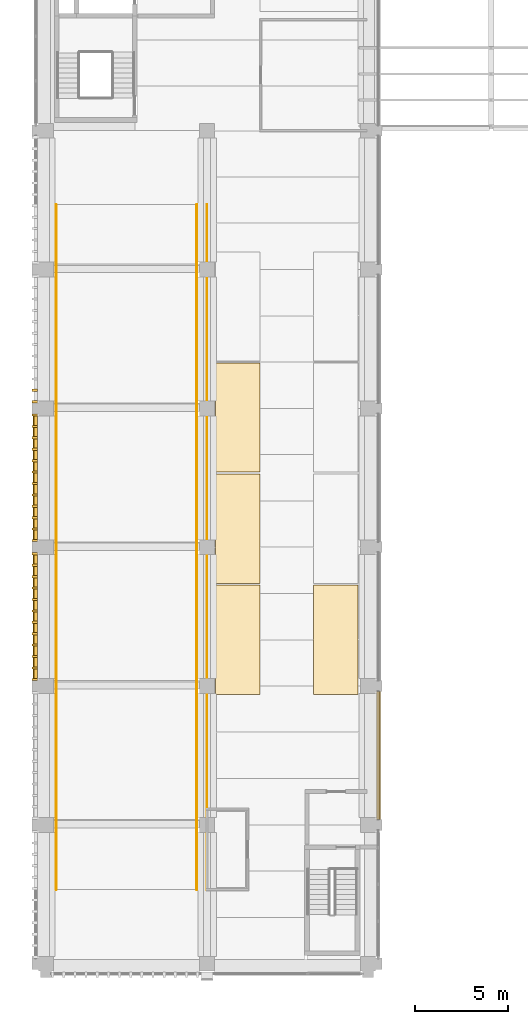
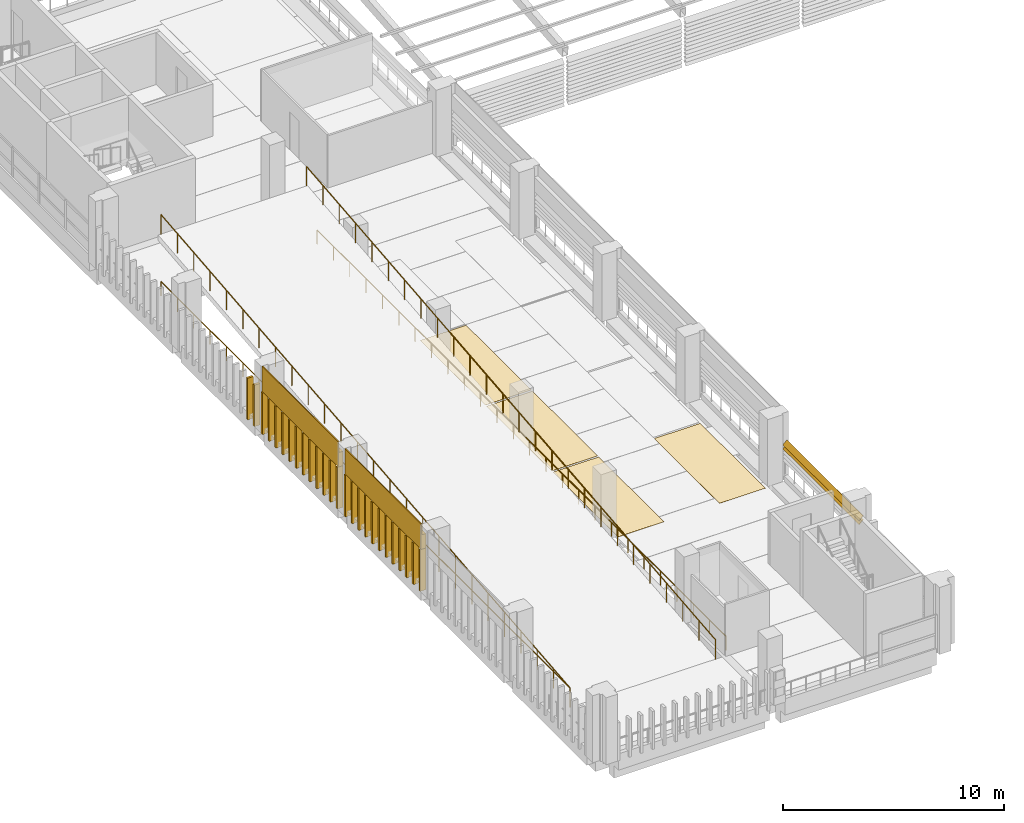
# One storey, part 42 of 52: 32 coverings, 4 railings, 2 shading devices.
"""IFC4 building model written with IfcOpenShell, lengths in metres."""

from ifc_helpers import new_model, si_unit, direction, frame, origin, origin_2d, place, context, subcontext, project, spatial, polyline, circle, outline, extrude, material, layer, layer_set, type_object, element, save


model = new_model("IFC4")

# Units and contexts
model_context = context("Model", 3, precision=1e-05, world=origin(), true_north=direction((0.0, 1.0)))
body_context = subcontext(model_context, "Body", "Model", "MODEL_VIEW")
ifc_project = project(units=[si_unit("LENGTHUNIT", "METRE"), si_unit("AREAUNIT", "SQUARE_METRE"), si_unit("VOLUMEUNIT", "CUBIC_METRE"), si_unit("PLANEANGLEUNIT", "RADIAN"), si_unit("MASSUNIT", "GRAM", prefix="KILO")], contexts=[model_context])

# Site, building, storey
site_placement = place(None, origin())
site = spatial("IfcSite", under=ifc_project, at=site_placement, CompositionType="ELEMENT")
building_placement = place(site_placement, origin())
building = spatial("IfcBuilding", under=site, at=building_placement, Name="Cour d'Honneur Mobility Palace", CompositionType="ELEMENT")
storey_placement = place(building_placement, frame((0.0, 0.0, 23.0)))
storey = spatial("IfcBuildingStorey", under=building, at=storey_placement, Name="L06", CompositionType="ELEMENT", Elevation=23.0)

# Coverings
ifc_material_1 = material(Name="Parking marking paint")
ifc_layer_1 = layer(ifc_material_1, 0.0048828125)
ifc_layer_set_1 = layer_set([ifc_layer_1], Name="Parking marking paint")
covering_type_1 = type_object("IfcCoveringType", Name="Parking bay marking", PredefinedType="FLOORING", material=ifc_layer_set_1)
covering_1_placement = place(storey_placement, origin())
element("IfcCovering", 1, at=covering_1_placement, inside=storey, type_object=covering_type_1, Name="Parking bay marking L06 9", PredefinedType="FLOORING", context=body_context, shape_type="SweptSolid", body=[
    extrude(outline(polyline([(11.550048828125, 14.550048828125), (9.14990234375, 14.550048828125), (9.14990234375, 20.449951171875), (11.550048828125, 20.449951171875), (11.550048828125, 14.550048828125)])), origin(), (0.0, 0.0, 1.0), 0.0048828125),
])
covering_2_placement = place(storey_placement, origin())
element("IfcCovering", 2, at=covering_2_placement, inside=storey, type_object=covering_type_1, Name="Parking bay marking L06 10", PredefinedType="FLOORING", context=body_context, shape_type="SweptSolid", body=[
    extrude(outline(polyline([(11.550048828125, 20.550048828125), (9.14990234375, 20.550048828125), (9.14990234375, 26.449951171875), (11.550048828125, 26.449951171875), (11.550048828125, 20.550048828125)])), origin(), (0.0, 0.0, 1.0), 0.0048828125),
])
covering_3_placement = place(storey_placement, origin())
element("IfcCovering", 3, at=covering_3_placement, inside=storey, type_object=covering_type_1, Name="Parking bay marking L06 11", PredefinedType="FLOORING", context=body_context, shape_type="SweptSolid", body=[
    extrude(outline(polyline([(11.550048828125, 26.550048828125), (9.14990234375, 26.550048828125), (9.14990234375, 32.449951171875), (11.550048828125, 32.449951171875), (11.550048828125, 26.550048828125)])), origin(), (0.0, 0.0, 1.0), 0.0048828125),
])
covering_4_placement = place(storey_placement, origin())
element("IfcCovering", 4, at=covering_4_placement, inside=storey, type_object=covering_type_1, Name="Parking bay marking L06 13", PredefinedType="FLOORING", context=body_context, shape_type="SweptSolid", body=[
    extrude(outline(polyline([(16.85009765625, 14.550048828125), (14.449951171875, 14.550048828125), (14.449951171875, 20.449951171875), (16.85009765625, 20.449951171875), (16.85009765625, 14.550048828125)])), origin(), (0.0, 0.0, 1.0), 0.0048828125),
])

# Railings
ifc_material_2 = material(Name="Painted steel", Category="steel")
railing_type_1 = type_object("IfcRailingType", Name="Ramp guard 1100", PredefinedType="GUARDRAIL", material=ifc_material_2)
railing_1_placement = place(storey_placement, frame((0.550048828125, 4.0, 0.0)))
element("IfcRailing", 5, at=railing_1_placement, inside=storey, type_object=railing_type_1, Name="Ramp guard Ramp West 7", PredefinedType="GUARDRAIL", context=body_context, shape_type="SweptSolid", body=[
    extrude(circle(Radius=0.02490234375, at=origin_2d()), frame((0.0, 0.0, 1.0751953125), z_axis=(0.0, 0.995037320222, 0.099502418892), x_axis=(-1.0, 0.0, 0.0)), (0.0, 0.0, 1.0), 37.1845703125),
    extrude(circle(Radius=0.02099609375, at=origin_2d()), origin(), (0.0, 0.0, 1.0), 1.050048828125),
    extrude(circle(Radius=0.02099609375, at=origin_2d()), frame((0.0, 1.47998046875, 0.14794921875)), (0.0, 0.0, 1.0), 1.050048828125),
    extrude(circle(Radius=0.02099609375, at=origin_2d()), frame((0.0, 2.9599609375, 0.2958984375)), (0.0, 0.0, 1.0), 1.050048828125),
    extrude(circle(Radius=0.02099609375, at=origin_2d()), frame((0.0, 4.43994140625, 0.444091796875)), (0.0, 0.0, 1.0), 1.050048828125),
    extrude(circle(Radius=0.02099609375, at=origin_2d()), frame((0.0, 5.919921875, 0.592041015625)), (0.0, 0.0, 1.0), 1.050048828125),
    extrude(circle(Radius=0.02099609375, at=origin_2d()), frame((0.0, 7.39990234375, 0.739990234375)), (0.0, 0.0, 1.0), 1.050048828125),
    extrude(circle(Radius=0.02099609375, at=origin_2d()), frame((0.0, 8.8798828125, 0.887939453125)), (0.0, 0.0, 1.0), 1.050048828125),
    extrude(circle(Radius=0.02099609375, at=origin_2d()), frame((0.0, 10.360107421875, 1.035888671875)), (0.0, 0.0, 1.0), 1.050048828125),
    extrude(circle(Radius=0.02099609375, at=origin_2d()), frame((0.0, 11.840087890625, 1.18408203125)), (0.0, 0.0, 1.0), 1.050048828125),
    extrude(circle(Radius=0.02099609375, at=origin_2d()), frame((0.0, 13.320068359375, 1.33203125)), (0.0, 0.0, 1.0), 1.050048828125),
    extrude(circle(Radius=0.02099609375, at=origin_2d()), frame((0.0, 14.800048828125, 1.47998046875)), (0.0, 0.0, 1.0), 1.050048828125),
    extrude(circle(Radius=0.02099609375, at=origin_2d()), frame((0.0, 16.280029296875, 1.6279296875)), (0.0, 0.0, 1.0), 1.050048828125),
    extrude(circle(Radius=0.02099609375, at=origin_2d()), frame((0.0, 17.760009765625, 1.77587890625)), (0.0, 0.0, 1.0), 1.050048828125),
    extrude(circle(Radius=0.02099609375, at=origin_2d()), frame((0.0, 19.239990234375, 1.924072265625)), (0.0, 0.0, 1.0), 1.050048828125),
    extrude(circle(Radius=0.02099609375, at=origin_2d()), frame((0.0, 20.719970703125, 2.072021484375)), (0.0, 0.0, 1.0), 1.050048828125),
    extrude(circle(Radius=0.02099609375, at=origin_2d()), frame((0.0, 22.199951171875, 2.219970703125)), (0.0, 0.0, 1.0), 1.050048828125),
    extrude(circle(Radius=0.02099609375, at=origin_2d()), frame((0.0, 23.679931640625, 2.367919921875)), (0.0, 0.0, 1.0), 1.050048828125),
    extrude(circle(Radius=0.02099609375, at=origin_2d()), frame((0.0, 25.159912109375, 2.515869140625)), (0.0, 0.0, 1.0), 1.050048828125),
    extrude(circle(Radius=0.02099609375, at=origin_2d()), frame((0.0, 26.639892578125, 2.6640625)), (0.0, 0.0, 1.0), 1.050048828125),
    extrude(circle(Radius=0.02099609375, at=origin_2d()), frame((0.0, 28.1201171875, 2.81201171875)), (0.0, 0.0, 1.0), 1.050048828125),
    extrude(circle(Radius=0.02099609375, at=origin_2d()), frame((0.0, 29.60009765625, 2.9599609375)), (0.0, 0.0, 1.0), 1.050048828125),
    extrude(circle(Radius=0.02099609375, at=origin_2d()), frame((0.0, 31.080078125, 3.10791015625)), (0.0, 0.0, 1.0), 1.050048828125),
    extrude(circle(Radius=0.02099609375, at=origin_2d()), frame((0.0, 32.56005859375, 3.255859375)), (0.0, 0.0, 1.0), 1.050048828125),
    extrude(circle(Radius=0.02099609375, at=origin_2d()), frame((0.0, 34.0400390625, 3.404052734375)), (0.0, 0.0, 1.0), 1.050048828125),
    extrude(circle(Radius=0.02099609375, at=origin_2d()), frame((0.0, 35.52001953125, 3.552001953125)), (0.0, 0.0, 1.0), 1.050048828125),
    extrude(circle(Radius=0.02099609375, at=origin_2d()), frame((0.0, 37.0, 3.699951171875)), (0.0, 0.0, 1.0), 1.050048828125),
])
railing_2_placement = place(storey_placement, frame((8.14990234375, 4.0, 0.0)))
element("IfcRailing", 6, at=railing_2_placement, inside=storey, type_object=railing_type_1, Name="Ramp guard Ramp West 7", PredefinedType="GUARDRAIL", context=body_context, shape_type="SweptSolid", body=[
    extrude(circle(Radius=0.02490234375, at=origin_2d()), frame((0.0, 0.0, 1.0751953125), z_axis=(0.0, 0.995037320222, 0.099502418892), x_axis=(-1.0, 0.0, 0.0)), (0.0, 0.0, 1.0), 37.1845703125),
    extrude(circle(Radius=0.02099609375, at=origin_2d()), origin(), (0.0, 0.0, 1.0), 1.050048828125),
    extrude(circle(Radius=0.02099609375, at=origin_2d()), frame((0.0, 1.47998046875, 0.14794921875)), (0.0, 0.0, 1.0), 1.050048828125),
    extrude(circle(Radius=0.02099609375, at=origin_2d()), frame((0.0, 2.9599609375, 0.2958984375)), (0.0, 0.0, 1.0), 1.050048828125),
    extrude(circle(Radius=0.02099609375, at=origin_2d()), frame((0.0, 4.43994140625, 0.444091796875)), (0.0, 0.0, 1.0), 1.050048828125),
    extrude(circle(Radius=0.02099609375, at=origin_2d()), frame((0.0, 5.919921875, 0.592041015625)), (0.0, 0.0, 1.0), 1.050048828125),
    extrude(circle(Radius=0.02099609375, at=origin_2d()), frame((0.0, 7.39990234375, 0.739990234375)), (0.0, 0.0, 1.0), 1.050048828125),
    extrude(circle(Radius=0.02099609375, at=origin_2d()), frame((0.0, 8.8798828125, 0.887939453125)), (0.0, 0.0, 1.0), 1.050048828125),
    extrude(circle(Radius=0.02099609375, at=origin_2d()), frame((0.0, 10.360107421875, 1.035888671875)), (0.0, 0.0, 1.0), 1.050048828125),
    extrude(circle(Radius=0.02099609375, at=origin_2d()), frame((0.0, 11.840087890625, 1.18408203125)), (0.0, 0.0, 1.0), 1.050048828125),
    extrude(circle(Radius=0.02099609375, at=origin_2d()), frame((0.0, 13.320068359375, 1.33203125)), (0.0, 0.0, 1.0), 1.050048828125),
    extrude(circle(Radius=0.02099609375, at=origin_2d()), frame((0.0, 14.800048828125, 1.47998046875)), (0.0, 0.0, 1.0), 1.050048828125),
    extrude(circle(Radius=0.02099609375, at=origin_2d()), frame((0.0, 16.280029296875, 1.6279296875)), (0.0, 0.0, 1.0), 1.050048828125),
    extrude(circle(Radius=0.02099609375, at=origin_2d()), frame((0.0, 17.760009765625, 1.77587890625)), (0.0, 0.0, 1.0), 1.050048828125),
    extrude(circle(Radius=0.02099609375, at=origin_2d()), frame((0.0, 19.239990234375, 1.924072265625)), (0.0, 0.0, 1.0), 1.050048828125),
    extrude(circle(Radius=0.02099609375, at=origin_2d()), frame((0.0, 20.719970703125, 2.072021484375)), (0.0, 0.0, 1.0), 1.050048828125),
    extrude(circle(Radius=0.02099609375, at=origin_2d()), frame((0.0, 22.199951171875, 2.219970703125)), (0.0, 0.0, 1.0), 1.050048828125),
    extrude(circle(Radius=0.02099609375, at=origin_2d()), frame((0.0, 23.679931640625, 2.367919921875)), (0.0, 0.0, 1.0), 1.050048828125),
    extrude(circle(Radius=0.02099609375, at=origin_2d()), frame((0.0, 25.159912109375, 2.515869140625)), (0.0, 0.0, 1.0), 1.050048828125),
    extrude(circle(Radius=0.02099609375, at=origin_2d()), frame((0.0, 26.639892578125, 2.6640625)), (0.0, 0.0, 1.0), 1.050048828125),
    extrude(circle(Radius=0.02099609375, at=origin_2d()), frame((0.0, 28.1201171875, 2.81201171875)), (0.0, 0.0, 1.0), 1.050048828125),
    extrude(circle(Radius=0.02099609375, at=origin_2d()), frame((0.0, 29.60009765625, 2.9599609375)), (0.0, 0.0, 1.0), 1.050048828125),
    extrude(circle(Radius=0.02099609375, at=origin_2d()), frame((0.0, 31.080078125, 3.10791015625)), (0.0, 0.0, 1.0), 1.050048828125),
    extrude(circle(Radius=0.02099609375, at=origin_2d()), frame((0.0, 32.56005859375, 3.255859375)), (0.0, 0.0, 1.0), 1.050048828125),
    extrude(circle(Radius=0.02099609375, at=origin_2d()), frame((0.0, 34.0400390625, 3.404052734375)), (0.0, 0.0, 1.0), 1.050048828125),
    extrude(circle(Radius=0.02099609375, at=origin_2d()), frame((0.0, 35.52001953125, 3.552001953125)), (0.0, 0.0, 1.0), 1.050048828125),
    extrude(circle(Radius=0.02099609375, at=origin_2d()), frame((0.0, 37.0, 3.699951171875)), (0.0, 0.0, 1.0), 1.050048828125),
])

# Coverings
ifc_material_3 = material(Name="Cast limestone", Category="masonry")
ifc_layer_2 = layer(ifc_material_3, 0.1201171875)
ifc_layer_set_2 = layer_set([ifc_layer_2], Name="Cast limestone")
covering_type_2 = type_object("IfcCoveringType", Name="Ramp screen fin", PredefinedType="CLADDING", material=ifc_layer_set_2)
covering_5_placement = place(storey_placement, origin())
element("IfcCovering", 7, at=covering_5_placement, inside=storey, type_object=covering_type_2, Name="Ramp screen fin W3.2 L06 11", PredefinedType="CLADDING", context=body_context, shape_type="SweptSolid", body=[
    extrude(outline(polyline([(-0.449951171875, 31.036376953125), (-0.449951171875, 30.916259765625), (-0.75, 30.916259765625), (-0.75, 31.036376953125), (-0.449951171875, 31.036376953125)])), origin(), (0.0, 0.0, 1.0), 2.300048828125),
])
covering_6_placement = place(storey_placement, origin())
element("IfcCovering", 8, at=covering_6_placement, inside=storey, type_object=covering_type_2, Name="Ramp screen fin W3.2 L06 12", PredefinedType="CLADDING", context=body_context, shape_type="SweptSolid", body=[
    extrude(outline(polyline([(-0.449951171875, 30.419921875), (-0.449951171875, 30.300048828125), (-0.75, 30.300048828125), (-0.75, 30.419921875), (-0.449951171875, 30.419921875)])), origin(), (0.0, 0.0, 1.0), 2.300048828125),
])
covering_7_placement = place(storey_placement, origin())
element("IfcCovering", 9, at=covering_7_placement, inside=storey, type_object=covering_type_2, Name="Ramp screen fin W3.3 L06 1", PredefinedType="CLADDING", context=body_context, shape_type="SweptSolid", body=[
    extrude(outline(polyline([(-0.449951171875, 29.699951171875), (-0.449951171875, 29.580078125), (-0.75, 29.580078125), (-0.75, 29.699951171875), (-0.449951171875, 29.699951171875)])), origin(), (0.0, 0.0, 1.0), 2.300048828125),
])
covering_8_placement = place(storey_placement, origin())
element("IfcCovering", 10, at=covering_8_placement, inside=storey, type_object=covering_type_2, Name="Ramp screen fin W3.3 L06 2", PredefinedType="CLADDING", context=body_context, shape_type="SweptSolid", body=[
    extrude(outline(polyline([(-0.449951171875, 29.083740234375), (-0.449951171875, 28.963623046875), (-0.75, 28.963623046875), (-0.75, 29.083740234375), (-0.449951171875, 29.083740234375)])), origin(), (0.0, 0.0, 1.0), 2.300048828125),
])
covering_9_placement = place(storey_placement, origin())
element("IfcCovering", 11, at=covering_9_placement, inside=storey, type_object=covering_type_2, Name="Ramp screen fin W3.3 L06 3", PredefinedType="CLADDING", context=body_context, shape_type="SweptSolid", body=[
    extrude(outline(polyline([(-0.449951171875, 28.46728515625), (-0.449951171875, 28.34716796875), (-0.75, 28.34716796875), (-0.75, 28.46728515625), (-0.449951171875, 28.46728515625)])), origin(), (0.0, 0.0, 1.0), 2.300048828125),
])
covering_10_placement = place(storey_placement, origin())
element("IfcCovering", 12, at=covering_10_placement, inside=storey, type_object=covering_type_2, Name="Ramp screen fin W3.3 L06 4", PredefinedType="CLADDING", context=body_context, shape_type="SweptSolid", body=[
    extrude(outline(polyline([(-0.449951171875, 27.850830078125), (-0.449951171875, 27.73095703125), (-0.75, 27.73095703125), (-0.75, 27.850830078125), (-0.449951171875, 27.850830078125)])), origin(), (0.0, 0.0, 1.0), 2.300048828125),
])
covering_11_placement = place(storey_placement, origin())
element("IfcCovering", 13, at=covering_11_placement, inside=storey, type_object=covering_type_2, Name="Ramp screen fin W3.3 L06 5", PredefinedType="CLADDING", context=body_context, shape_type="SweptSolid", body=[
    extrude(outline(polyline([(-0.449951171875, 27.234619140625), (-0.449951171875, 27.114501953125), (-0.75, 27.114501953125), (-0.75, 27.234619140625), (-0.449951171875, 27.234619140625)])), origin(), (0.0, 0.0, 1.0), 2.300048828125),
])
covering_12_placement = place(storey_placement, origin())
element("IfcCovering", 14, at=covering_12_placement, inside=storey, type_object=covering_type_2, Name="Ramp screen fin W3.3 L06 6", PredefinedType="CLADDING", context=body_context, shape_type="SweptSolid", body=[
    extrude(outline(polyline([(-0.449951171875, 26.6181640625), (-0.449951171875, 26.498291015625), (-0.75, 26.498291015625), (-0.75, 26.6181640625), (-0.449951171875, 26.6181640625)])), origin(), (0.0, 0.0, 1.0), 2.300048828125),
])
covering_13_placement = place(storey_placement, origin())
element("IfcCovering", 15, at=covering_13_placement, inside=storey, type_object=covering_type_2, Name="Ramp screen fin W3.3 L06 7", PredefinedType="CLADDING", context=body_context, shape_type="SweptSolid", body=[
    extrude(outline(polyline([(-0.449951171875, 26.001708984375), (-0.449951171875, 25.8818359375), (-0.75, 25.8818359375), (-0.75, 26.001708984375), (-0.449951171875, 26.001708984375)])), origin(), (0.0, 0.0, 1.0), 2.300048828125),
])
covering_14_placement = place(storey_placement, origin())
element("IfcCovering", 16, at=covering_14_placement, inside=storey, type_object=covering_type_2, Name="Ramp screen fin W3.3 L06 8", PredefinedType="CLADDING", context=body_context, shape_type="SweptSolid", body=[
    extrude(outline(polyline([(-0.449951171875, 25.385498046875), (-0.449951171875, 25.265380859375), (-0.75, 25.265380859375), (-0.75, 25.385498046875), (-0.449951171875, 25.385498046875)])), origin(), (0.0, 0.0, 1.0), 2.300048828125),
])
covering_15_placement = place(storey_placement, origin())
element("IfcCovering", 17, at=covering_15_placement, inside=storey, type_object=covering_type_2, Name="Ramp screen fin W3.3 L06 9", PredefinedType="CLADDING", context=body_context, shape_type="SweptSolid", body=[
    extrude(outline(polyline([(-0.449951171875, 24.76904296875), (-0.449951171875, 24.649169921875), (-0.75, 24.649169921875), (-0.75, 24.76904296875), (-0.449951171875, 24.76904296875)])), origin(), (0.0, 0.0, 1.0), 2.300048828125),
])
covering_16_placement = place(storey_placement, origin())
element("IfcCovering", 18, at=covering_16_placement, inside=storey, type_object=covering_type_2, Name="Ramp screen fin W3.3 L06 10", PredefinedType="CLADDING", context=body_context, shape_type="SweptSolid", body=[
    extrude(outline(polyline([(-0.449951171875, 24.15283203125), (-0.449951171875, 24.03271484375), (-0.75, 24.03271484375), (-0.75, 24.15283203125), (-0.449951171875, 24.15283203125)])), origin(), (0.0, 0.0, 1.0), 2.300048828125),
])
covering_17_placement = place(storey_placement, origin())
element("IfcCovering", 19, at=covering_17_placement, inside=storey, type_object=covering_type_2, Name="Ramp screen fin W3.3 L06 11", PredefinedType="CLADDING", context=body_context, shape_type="SweptSolid", body=[
    extrude(outline(polyline([(-0.449951171875, 23.536376953125), (-0.449951171875, 23.416259765625), (-0.75, 23.416259765625), (-0.75, 23.536376953125), (-0.449951171875, 23.536376953125)])), origin(), (0.0, 0.0, 1.0), 2.300048828125),
])
covering_18_placement = place(storey_placement, origin())
element("IfcCovering", 20, at=covering_18_placement, inside=storey, type_object=covering_type_2, Name="Ramp screen fin W3.3 L06 12", PredefinedType="CLADDING", context=body_context, shape_type="SweptSolid", body=[
    extrude(outline(polyline([(-0.449951171875, 22.919921875), (-0.449951171875, 22.800048828125), (-0.75, 22.800048828125), (-0.75, 22.919921875), (-0.449951171875, 22.919921875)])), origin(), (0.0, 0.0, 1.0), 2.300048828125),
])
covering_19_placement = place(storey_placement, origin())
element("IfcCovering", 21, at=covering_19_placement, inside=storey, type_object=covering_type_2, Name="Ramp screen fin W3.4 L06 1", PredefinedType="CLADDING", context=body_context, shape_type="SweptSolid", body=[
    extrude(outline(polyline([(-0.449951171875, 22.199951171875), (-0.449951171875, 22.080078125), (-0.75, 22.080078125), (-0.75, 22.199951171875), (-0.449951171875, 22.199951171875)])), origin(), (0.0, 0.0, 1.0), 2.300048828125),
])
covering_20_placement = place(storey_placement, origin())
element("IfcCovering", 22, at=covering_20_placement, inside=storey, type_object=covering_type_2, Name="Ramp screen fin W3.4 L06 2", PredefinedType="CLADDING", context=body_context, shape_type="SweptSolid", body=[
    extrude(outline(polyline([(-0.449951171875, 21.583740234375), (-0.449951171875, 21.463623046875), (-0.75, 21.463623046875), (-0.75, 21.583740234375), (-0.449951171875, 21.583740234375)])), origin(), (0.0, 0.0, 1.0), 2.300048828125),
])
covering_21_placement = place(storey_placement, origin())
element("IfcCovering", 23, at=covering_21_placement, inside=storey, type_object=covering_type_2, Name="Ramp screen fin W3.4 L06 3", PredefinedType="CLADDING", context=body_context, shape_type="SweptSolid", body=[
    extrude(outline(polyline([(-0.449951171875, 20.96728515625), (-0.449951171875, 20.84716796875), (-0.75, 20.84716796875), (-0.75, 20.96728515625), (-0.449951171875, 20.96728515625)])), origin(), (0.0, 0.0, 1.0), 2.300048828125),
])
covering_22_placement = place(storey_placement, origin())
element("IfcCovering", 24, at=covering_22_placement, inside=storey, type_object=covering_type_2, Name="Ramp screen fin W3.4 L06 4", PredefinedType="CLADDING", context=body_context, shape_type="SweptSolid", body=[
    extrude(outline(polyline([(-0.449951171875, 20.350830078125), (-0.449951171875, 20.23095703125), (-0.75, 20.23095703125), (-0.75, 20.350830078125), (-0.449951171875, 20.350830078125)])), origin(), (0.0, 0.0, 1.0), 2.300048828125),
])
covering_23_placement = place(storey_placement, origin())
element("IfcCovering", 25, at=covering_23_placement, inside=storey, type_object=covering_type_2, Name="Ramp screen fin W3.4 L06 5", PredefinedType="CLADDING", context=body_context, shape_type="SweptSolid", body=[
    extrude(outline(polyline([(-0.449951171875, 19.734619140625), (-0.449951171875, 19.614501953125), (-0.75, 19.614501953125), (-0.75, 19.734619140625), (-0.449951171875, 19.734619140625)])), origin(), (0.0, 0.0, 1.0), 2.300048828125),
])
covering_24_placement = place(storey_placement, origin())
element("IfcCovering", 26, at=covering_24_placement, inside=storey, type_object=covering_type_2, Name="Ramp screen fin W3.4 L06 6", PredefinedType="CLADDING", context=body_context, shape_type="SweptSolid", body=[
    extrude(outline(polyline([(-0.449951171875, 19.1181640625), (-0.449951171875, 18.998291015625), (-0.75, 18.998291015625), (-0.75, 19.1181640625), (-0.449951171875, 19.1181640625)])), origin(), (0.0, 0.0, 1.0), 2.300048828125),
])
covering_25_placement = place(storey_placement, origin())
element("IfcCovering", 27, at=covering_25_placement, inside=storey, type_object=covering_type_2, Name="Ramp screen fin W3.4 L06 7", PredefinedType="CLADDING", context=body_context, shape_type="SweptSolid", body=[
    extrude(outline(polyline([(-0.449951171875, 18.501708984375), (-0.449951171875, 18.3818359375), (-0.75, 18.3818359375), (-0.75, 18.501708984375), (-0.449951171875, 18.501708984375)])), origin(), (0.0, 0.0, 1.0), 2.300048828125),
])
covering_26_placement = place(storey_placement, origin())
element("IfcCovering", 28, at=covering_26_placement, inside=storey, type_object=covering_type_2, Name="Ramp screen fin W3.4 L06 8", PredefinedType="CLADDING", context=body_context, shape_type="SweptSolid", body=[
    extrude(outline(polyline([(-0.449951171875, 17.885498046875), (-0.449951171875, 17.765380859375), (-0.75, 17.765380859375), (-0.75, 17.885498046875), (-0.449951171875, 17.885498046875)])), origin(), (0.0, 0.0, 1.0), 2.300048828125),
])
covering_27_placement = place(storey_placement, origin())
element("IfcCovering", 29, at=covering_27_placement, inside=storey, type_object=covering_type_2, Name="Ramp screen fin W3.4 L06 9", PredefinedType="CLADDING", context=body_context, shape_type="SweptSolid", body=[
    extrude(outline(polyline([(-0.449951171875, 17.26904296875), (-0.449951171875, 17.149169921875), (-0.75, 17.149169921875), (-0.75, 17.26904296875), (-0.449951171875, 17.26904296875)])), origin(), (0.0, 0.0, 1.0), 2.300048828125),
])
covering_28_placement = place(storey_placement, origin())
element("IfcCovering", 30, at=covering_28_placement, inside=storey, type_object=covering_type_2, Name="Ramp screen fin W3.4 L06 10", PredefinedType="CLADDING", context=body_context, shape_type="SweptSolid", body=[
    extrude(outline(polyline([(-0.449951171875, 16.65283203125), (-0.449951171875, 16.53271484375), (-0.75, 16.53271484375), (-0.75, 16.65283203125), (-0.449951171875, 16.65283203125)])), origin(), (0.0, 0.0, 1.0), 2.300048828125),
])
covering_29_placement = place(storey_placement, origin())
element("IfcCovering", 31, at=covering_29_placement, inside=storey, type_object=covering_type_2, Name="Ramp screen fin W3.4 L06 11", PredefinedType="CLADDING", context=body_context, shape_type="SweptSolid", body=[
    extrude(outline(polyline([(-0.449951171875, 16.036376953125), (-0.449951171875, 15.916259765625), (-0.75, 15.916259765625), (-0.75, 16.036376953125), (-0.449951171875, 16.036376953125)])), origin(), (0.0, 0.0, 1.0), 2.300048828125),
])
covering_30_placement = place(storey_placement, origin())
element("IfcCovering", 32, at=covering_30_placement, inside=storey, type_object=covering_type_2, Name="Ramp screen fin W3.4 L06 12", PredefinedType="CLADDING", context=body_context, shape_type="SweptSolid", body=[
    extrude(outline(polyline([(-0.449951171875, 15.419921875), (-0.449951171875, 15.300048828125), (-0.75, 15.300048828125), (-0.75, 15.419921875), (-0.449951171875, 15.419921875)])), origin(), (0.0, 0.0, 1.0), 2.300048828125),
])
ifc_material_4 = material(Name="Cast limestone", Category="masonry")
ifc_layer_3 = layer(ifc_material_4, 0.25)
ifc_layer_set_3 = layer_set([ifc_layer_3], Name="Cast limestone")
covering_type_3 = type_object("IfcCoveringType", Name="Spandrel cladding", PredefinedType="CLADDING", material=ifc_layer_set_3)
for number, where, z_axis, x_axis, name in (
    (33, (-0.449951171875, 29.699951171875, 2.300048828125), (0.0, 1.0, 0.0), (-1.0, 0.0, 0.0), "Spandrel cladding SK-365"),
    (34, (-0.449951171875, 22.199951171875, 2.300048828125), (0.0, 1.0, 0.0), (-1.0, 0.0, 0.0), "Spandrel cladding SK-366"),
):
    element("IfcCovering", number, at=place(storey_placement, frame(where, z_axis=z_axis, x_axis=x_axis)), inside=storey, type_object=covering_type_3, Name=name, PredefinedType="CLADDING", context=body_context, shape_type="SweptSolid", body=[
        extrude(outline(polyline([(0.0, 0.0), (0.25, 0.0), (0.25, 1.39990234375), (0.199951171875, 1.39990234375), (0.199951171875, 0.800048828125), (0.0, 0.800048828125), (0.0, 0.0)])), origin(), (0.0, 0.0, -1.0), 6.89990234375),
    ])

# Shading devices
ifc_material_5 = material(Name="Terracotta", Category="masonry")
ifc_layer_4 = layer(ifc_material_5, 0.02490234375)
ifc_layer_set_4 = layer_set([ifc_layer_4], Name="Terracotta")
shading_device_type = type_object("IfcShadingDeviceType", Name="Terracotta louvre blade", PredefinedType="JALOUSIE", material=ifc_layer_set_4)
for number, where, z_axis, x_axis, name in (
    (35, (17.843994140625, 7.800048828125, 1.736328125), (-0.707106781187, 0.0, 0.707106781187), (0.0, 1.0, 0.0), "Louvre blade LV-1 E1.1 L06 4"),
    (36, (17.843994140625, 7.800048828125, 1.948486328125), (-0.707106781187, 0.0, 0.707106781187), (0.0, 1.0, 0.0), "Louvre blade LV-1 E1.1 L06 5"),
):
    element("IfcShadingDevice", number, at=place(storey_placement, frame(where, z_axis=z_axis, x_axis=x_axis)), inside=storey, type_object=shading_device_type, Name=name, PredefinedType="JALOUSIE", context=body_context, shape_type="SweptSolid", body=[
        extrude(outline(polyline([(0.0, 0.0), (6.89990234375, 0.0), (6.89990234375, -0.300037008228081), (0.0, -0.300037008228081), (0.0, 0.0)])), origin(), (0.0, 0.0, -1.0), 0.02490234375),
    ])

# Railings
ifc_material_6 = material(Name="Painted steel", Category="steel")
railing_type_2 = type_object("IfcRailingType", Name="Void edge guard 1100", PredefinedType="GUARDRAIL", material=ifc_material_6)
railing_3_placement = place(storey_placement, frame((8.699951171875, 4.0, 0.300048828125)))
element("IfcRailing", 37, at=railing_3_placement, inside=storey, type_object=railing_type_2, Name="Void edge guard SW L06", PredefinedType="GUARDRAIL", context=body_context, shape_type="SweptSolid", body=[
    extrude(circle(Radius=0.02490234375, at=origin_2d()), frame((0.0, 0.0, 0.77490234375), z_axis=(0.0, 1.0, 0.0), x_axis=(-1.0, 0.0, 0.0)), (0.0, 0.0, 1.0), 37.0),
    extrude(circle(Radius=0.02099609375, at=origin_2d()), origin(), (0.0, 0.0, 1.0), 0.75),
    extrude(circle(Radius=0.02099609375, at=origin_2d()), frame((0.0, 1.47998046875, 0.0)), (0.0, 0.0, 1.0), 0.75),
    extrude(circle(Radius=0.02099609375, at=origin_2d()), frame((0.0, 2.9599609375, 0.0)), (0.0, 0.0, 1.0), 0.75),
    extrude(circle(Radius=0.02099609375, at=origin_2d()), frame((0.0, 4.43994140625, 0.0)), (0.0, 0.0, 1.0), 0.75),
    extrude(circle(Radius=0.02099609375, at=origin_2d()), frame((0.0, 5.919921875, 0.0)), (0.0, 0.0, 1.0), 0.75),
    extrude(circle(Radius=0.02099609375, at=origin_2d()), frame((0.0, 7.39990234375, 0.0)), (0.0, 0.0, 1.0), 0.75),
    extrude(circle(Radius=0.02099609375, at=origin_2d()), frame((0.0, 8.8798828125, 0.0)), (0.0, 0.0, 1.0), 0.75),
    extrude(circle(Radius=0.02099609375, at=origin_2d()), frame((0.0, 10.360107421875, 0.0)), (0.0, 0.0, 1.0), 0.75),
    extrude(circle(Radius=0.02099609375, at=origin_2d()), frame((0.0, 11.840087890625, 0.0)), (0.0, 0.0, 1.0), 0.75),
    extrude(circle(Radius=0.02099609375, at=origin_2d()), frame((0.0, 13.320068359375, 0.0)), (0.0, 0.0, 1.0), 0.75),
    extrude(circle(Radius=0.02099609375, at=origin_2d()), frame((0.0, 14.800048828125, 0.0)), (0.0, 0.0, 1.0), 0.75),
    extrude(circle(Radius=0.02099609375, at=origin_2d()), frame((0.0, 16.280029296875, 0.0)), (0.0, 0.0, 1.0), 0.75),
    extrude(circle(Radius=0.02099609375, at=origin_2d()), frame((0.0, 17.760009765625, 0.0)), (0.0, 0.0, 1.0), 0.75),
    extrude(circle(Radius=0.02099609375, at=origin_2d()), frame((0.0, 19.239990234375, 0.0)), (0.0, 0.0, 1.0), 0.75),
    extrude(circle(Radius=0.02099609375, at=origin_2d()), frame((0.0, 20.719970703125, 0.0)), (0.0, 0.0, 1.0), 0.75),
    extrude(circle(Radius=0.02099609375, at=origin_2d()), frame((0.0, 22.199951171875, 0.0)), (0.0, 0.0, 1.0), 0.75),
    extrude(circle(Radius=0.02099609375, at=origin_2d()), frame((0.0, 23.679931640625, 0.0)), (0.0, 0.0, 1.0), 0.75),
    extrude(circle(Radius=0.02099609375, at=origin_2d()), frame((0.0, 25.159912109375, 0.0)), (0.0, 0.0, 1.0), 0.75),
    extrude(circle(Radius=0.02099609375, at=origin_2d()), frame((0.0, 26.639892578125, 0.0)), (0.0, 0.0, 1.0), 0.75),
    extrude(circle(Radius=0.02099609375, at=origin_2d()), frame((0.0, 28.1201171875, 0.0)), (0.0, 0.0, 1.0), 0.75),
    extrude(circle(Radius=0.02099609375, at=origin_2d()), frame((0.0, 29.60009765625, 0.0)), (0.0, 0.0, 1.0), 0.75),
    extrude(circle(Radius=0.02099609375, at=origin_2d()), frame((0.0, 31.080078125, 0.0)), (0.0, 0.0, 1.0), 0.75),
    extrude(circle(Radius=0.02099609375, at=origin_2d()), frame((0.0, 32.56005859375, 0.0)), (0.0, 0.0, 1.0), 0.75),
    extrude(circle(Radius=0.02099609375, at=origin_2d()), frame((0.0, 34.0400390625, 0.0)), (0.0, 0.0, 1.0), 0.75),
    extrude(circle(Radius=0.02099609375, at=origin_2d()), frame((0.0, 35.52001953125, 0.0)), (0.0, 0.0, 1.0), 0.75),
    extrude(circle(Radius=0.02099609375, at=origin_2d()), frame((0.0, 37.0, 0.0)), (0.0, 0.0, 1.0), 0.75),
])
railing_4_placement = place(storey_placement, frame((0.550048828125, 4.0, 0.300048828125)))
element("IfcRailing", 38, at=railing_4_placement, inside=storey, type_object=railing_type_2, Name="Void edge guard SW L06", PredefinedType="GUARDRAIL", context=body_context, shape_type="SweptSolid", body=[
    extrude(circle(Radius=0.02490234375, at=origin_2d()), frame((0.0, 0.0, 0.77490234375), z_axis=(0.0, 1.0, 0.0), x_axis=(-1.0, 0.0, 0.0)), (0.0, 0.0, 1.0), 37.0),
    extrude(circle(Radius=0.02099609375, at=origin_2d()), origin(), (0.0, 0.0, 1.0), 0.75),
    extrude(circle(Radius=0.02099609375, at=origin_2d()), frame((0.0, 1.47998046875, 0.0)), (0.0, 0.0, 1.0), 0.75),
    extrude(circle(Radius=0.02099609375, at=origin_2d()), frame((0.0, 2.9599609375, 0.0)), (0.0, 0.0, 1.0), 0.75),
    extrude(circle(Radius=0.02099609375, at=origin_2d()), frame((0.0, 4.43994140625, 0.0)), (0.0, 0.0, 1.0), 0.75),
    extrude(circle(Radius=0.02099609375, at=origin_2d()), frame((0.0, 5.919921875, 0.0)), (0.0, 0.0, 1.0), 0.75),
    extrude(circle(Radius=0.02099609375, at=origin_2d()), frame((0.0, 7.39990234375, 0.0)), (0.0, 0.0, 1.0), 0.75),
    extrude(circle(Radius=0.02099609375, at=origin_2d()), frame((0.0, 8.8798828125, 0.0)), (0.0, 0.0, 1.0), 0.75),
    extrude(circle(Radius=0.02099609375, at=origin_2d()), frame((0.0, 10.360107421875, 0.0)), (0.0, 0.0, 1.0), 0.75),
    extrude(circle(Radius=0.02099609375, at=origin_2d()), frame((0.0, 11.840087890625, 0.0)), (0.0, 0.0, 1.0), 0.75),
    extrude(circle(Radius=0.02099609375, at=origin_2d()), frame((0.0, 13.320068359375, 0.0)), (0.0, 0.0, 1.0), 0.75),
    extrude(circle(Radius=0.02099609375, at=origin_2d()), frame((0.0, 14.800048828125, 0.0)), (0.0, 0.0, 1.0), 0.75),
    extrude(circle(Radius=0.02099609375, at=origin_2d()), frame((0.0, 16.280029296875, 0.0)), (0.0, 0.0, 1.0), 0.75),
    extrude(circle(Radius=0.02099609375, at=origin_2d()), frame((0.0, 17.760009765625, 0.0)), (0.0, 0.0, 1.0), 0.75),
    extrude(circle(Radius=0.02099609375, at=origin_2d()), frame((0.0, 19.239990234375, 0.0)), (0.0, 0.0, 1.0), 0.75),
    extrude(circle(Radius=0.02099609375, at=origin_2d()), frame((0.0, 20.719970703125, 0.0)), (0.0, 0.0, 1.0), 0.75),
    extrude(circle(Radius=0.02099609375, at=origin_2d()), frame((0.0, 22.199951171875, 0.0)), (0.0, 0.0, 1.0), 0.75),
    extrude(circle(Radius=0.02099609375, at=origin_2d()), frame((0.0, 23.679931640625, 0.0)), (0.0, 0.0, 1.0), 0.75),
    extrude(circle(Radius=0.02099609375, at=origin_2d()), frame((0.0, 25.159912109375, 0.0)), (0.0, 0.0, 1.0), 0.75),
    extrude(circle(Radius=0.02099609375, at=origin_2d()), frame((0.0, 26.639892578125, 0.0)), (0.0, 0.0, 1.0), 0.75),
    extrude(circle(Radius=0.02099609375, at=origin_2d()), frame((0.0, 28.1201171875, 0.0)), (0.0, 0.0, 1.0), 0.75),
    extrude(circle(Radius=0.02099609375, at=origin_2d()), frame((0.0, 29.60009765625, 0.0)), (0.0, 0.0, 1.0), 0.75),
    extrude(circle(Radius=0.02099609375, at=origin_2d()), frame((0.0, 31.080078125, 0.0)), (0.0, 0.0, 1.0), 0.75),
    extrude(circle(Radius=0.02099609375, at=origin_2d()), frame((0.0, 32.56005859375, 0.0)), (0.0, 0.0, 1.0), 0.75),
    extrude(circle(Radius=0.02099609375, at=origin_2d()), frame((0.0, 34.0400390625, 0.0)), (0.0, 0.0, 1.0), 0.75),
    extrude(circle(Radius=0.02099609375, at=origin_2d()), frame((0.0, 35.52001953125, 0.0)), (0.0, 0.0, 1.0), 0.75),
    extrude(circle(Radius=0.02099609375, at=origin_2d()), frame((0.0, 37.0, 0.0)), (0.0, 0.0, 1.0), 0.75),
])

save(model, "model.ifc")
